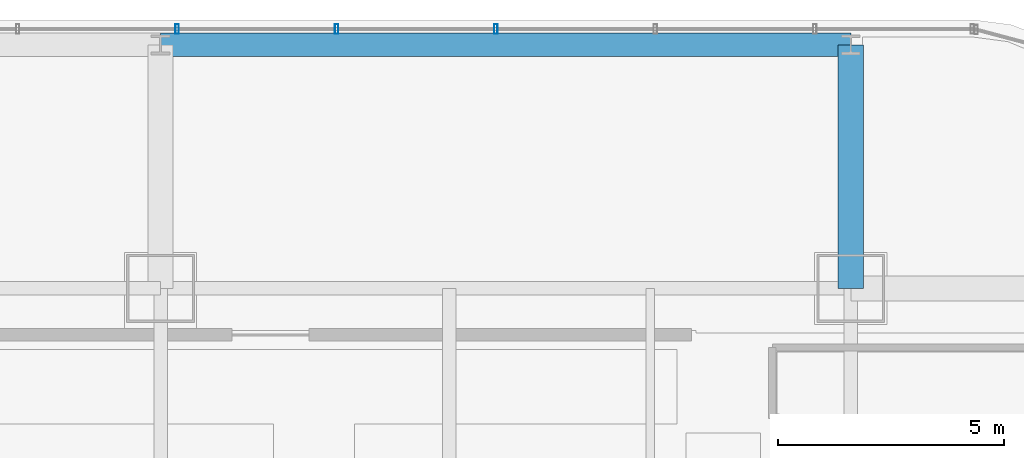
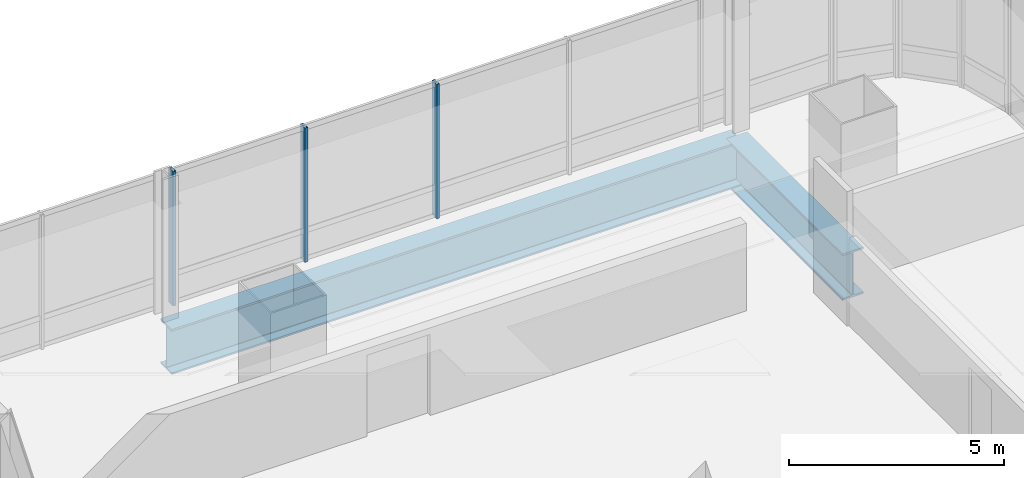
# One storey, part 23 of 34: 3 members, 2 beams, 1 element without a shape of its own.
"""IFC4 building model written with IfcOpenShell, lengths in metres."""

from ifc_helpers import new_model, si_unit, direction, frame, origin, origin_2d, place, context, subcontext, project, spatial, hollow_rectangle, i_section, extrude, material, material_profile, profile_set, type_object, element, aggregate, save


model = new_model("IFC4")

# Units and contexts
model_context = context("Model", 3, precision=1e-05, world=origin(), true_north=direction((0.0, 1.0)))
body_context = subcontext(model_context, "Body", "Model", "MODEL_VIEW")
ifc_project = project(units=[si_unit("LENGTHUNIT", "METRE"), si_unit("AREAUNIT", "SQUARE_METRE"), si_unit("VOLUMEUNIT", "CUBIC_METRE"), si_unit("PLANEANGLEUNIT", "RADIAN"), si_unit("MASSUNIT", "GRAM", prefix="KILO")], contexts=[model_context])

# Site, building, storey
site_placement = place(None, origin())
site = spatial("IfcSite", under=ifc_project, at=site_placement, CompositionType="ELEMENT")
building_placement = place(site_placement, origin())
building = spatial("IfcBuilding", under=site, at=building_placement, Name="Punatoya Terracotta Tower", CompositionType="ELEMENT")
storey_placement = place(building_placement, frame((0.0, 0.0, 105.14990234375)))
storey = spatial("IfcBuildingStorey", under=building, at=storey_placement, Name="L24", CompositionType="ELEMENT", Elevation=105.14990234375)

# Beams
ifc_material_1 = material(Name="Steel S460", Category="steel")
ifc_material_profile_1 = material_profile(ifc_material_1, i_section(OverallWidth=0.56005859375, OverallDepth=1.320068359375, WebThickness=0.035888671875, FlangeThickness=0.054931640625, FilletRadius=0.01806640625, at=origin_2d()))
ifc_profile_set_1 = profile_set([ifc_material_profile_1], Name="Steel S460")
beam_type_1 = type_object("IfcBeamType", Name="BM-TG-BLK", PredefinedType="BEAM", material=ifc_profile_set_1)
beam_1_placement = place(storey_placement, frame((19.10009765625, 17.5, -0.89990234375), z_axis=(0.0, 1.0, 0.0), x_axis=(-1.0, 0.0, 0.0)))
element("IfcBeam", 1, at=beam_1_placement, inside=storey, type_object=beam_type_1, Name="BM-L24-CANT-N4", PredefinedType="BEAM", context=body_context, shape_type="SweptSolid", body=[
    extrude(i_section(OverallWidth=0.56005859375, OverallDepth=1.320068359375, WebThickness=0.035888671875, FlangeThickness=0.054931640625, FilletRadius=0.01806640625, at=origin_2d()), origin(), (0.0, 0.0, 1.0), 5.39990234375),
])
ifc_material_profile_2 = material_profile(ifc_material_1, i_section(OverallWidth=0.52001953125, OverallDepth=1.280029296875, WebThickness=0.031982421875, FlangeThickness=0.050048828125, FilletRadius=0.01806640625, at=origin_2d()))
ifc_profile_set_2 = profile_set([ifc_material_profile_2], Name="Steel S460")
beam_type_2 = type_object("IfcBeamType", Name="BM-TG-NCK", PredefinedType="BEAM", material=ifc_profile_set_2)
beam_2_placement = place(storey_placement, frame((3.800048828125, 22.89990234375, -0.8798828125), z_axis=(1.0, 0.0, 0.0), x_axis=(0.0, 1.0, 0.0)))
element("IfcBeam", 2, at=beam_2_placement, inside=storey, type_object=beam_type_2, Name="BM-L24-PER-N3", PredefinedType="BEAM", context=body_context, shape_type="SweptSolid", body=[
    extrude(i_section(OverallWidth=0.52001953125, OverallDepth=1.280029296875, WebThickness=0.031982421875, FlangeThickness=0.050048828125, FilletRadius=0.01806640625, at=origin_2d()), origin(), (0.0, 0.0, 1.0), 15.300048828125),
])

# Curtain wall, members
ifc_material_2 = material(Name="Aluminium 6063-T6 + Double Low-E Glass", Category="aluminium")
curtain_wall_type = type_object("IfcCurtainWallType", Name="CW-M1", PredefinedType="NOTDEFINED", material=ifc_material_2)
curtain_wall_placement = place(storey_placement, origin())
curtain_wall = element("IfcCurtainWall", 3, at=curtain_wall_placement, inside=storey, type_object=curtain_wall_type, Name="L24 Curtain Wall CW-L24-N09-1", PredefinedType="NOTDEFINED")
ifc_material_3 = material(Name="Aluminium 6063-T6", Category="aluminium")
ifc_material_profile_3 = material_profile(ifc_material_3, hollow_rectangle(XDim=0.074951171875, YDim=0.2099609375, WallThickness=0.00439453125, at=origin_2d()))
ifc_profile_set_3 = profile_set([ifc_material_profile_3], Name="Aluminium 6063-T6")
member_type = type_object("IfcMemberType", Name="CW-MUL-M1", PredefinedType="MULLION", material=ifc_profile_set_3)
member_1_placement = place(storey_placement, frame((11.235107421875, 23.25, 0.0), z_axis=(0.0, 0.0, 1.0), x_axis=(1.0, 0.0, 0.0)))
member_1 = element("IfcMember", 4, at=member_1_placement, type_object=member_type, Name="CW-L24-N09-1 Mullion 03", PredefinedType="MULLION", context=body_context, shape_type="SweptSolid", body=[
    extrude(hollow_rectangle(XDim=0.074951171875, YDim=0.2099609375, WallThickness=0.00439453125, at=origin_2d()), origin(), (0.0, 0.0, 1.0), 3.81005859375),
])
member_2_placement = place(storey_placement, frame((7.700927734375, 23.25, 0.0), z_axis=(0.0, 0.0, 1.0), x_axis=(1.0, 0.0, 0.0)))
member_2 = element("IfcMember", 5, at=member_2_placement, type_object=member_type, Name="CW-L24-N09-1 Mullion 04", PredefinedType="MULLION", context=body_context, shape_type="SweptSolid", body=[
    extrude(hollow_rectangle(XDim=0.074951171875, YDim=0.2099609375, WallThickness=0.00439453125, at=origin_2d()), origin(), (0.0, 0.0, 1.0), 3.81005859375),
])
member_3_placement = place(storey_placement, frame((4.1669921875, 23.25, 0.0), z_axis=(0.0, 0.0, 1.0), x_axis=(1.0, 0.0, 0.0)))
member_3 = element("IfcMember", 6, at=member_3_placement, type_object=member_type, Name="CW-L24-N09-1 Mullion 05", PredefinedType="MULLION", context=body_context, shape_type="SweptSolid", body=[
    extrude(hollow_rectangle(XDim=0.074951171875, YDim=0.2099609375, WallThickness=0.00439453125, at=origin_2d()), origin(), (0.0, 0.0, 1.0), 3.81005859375),
])
aggregate(curtain_wall, [member_1, member_2, member_3])

save(model, "model.ifc")
